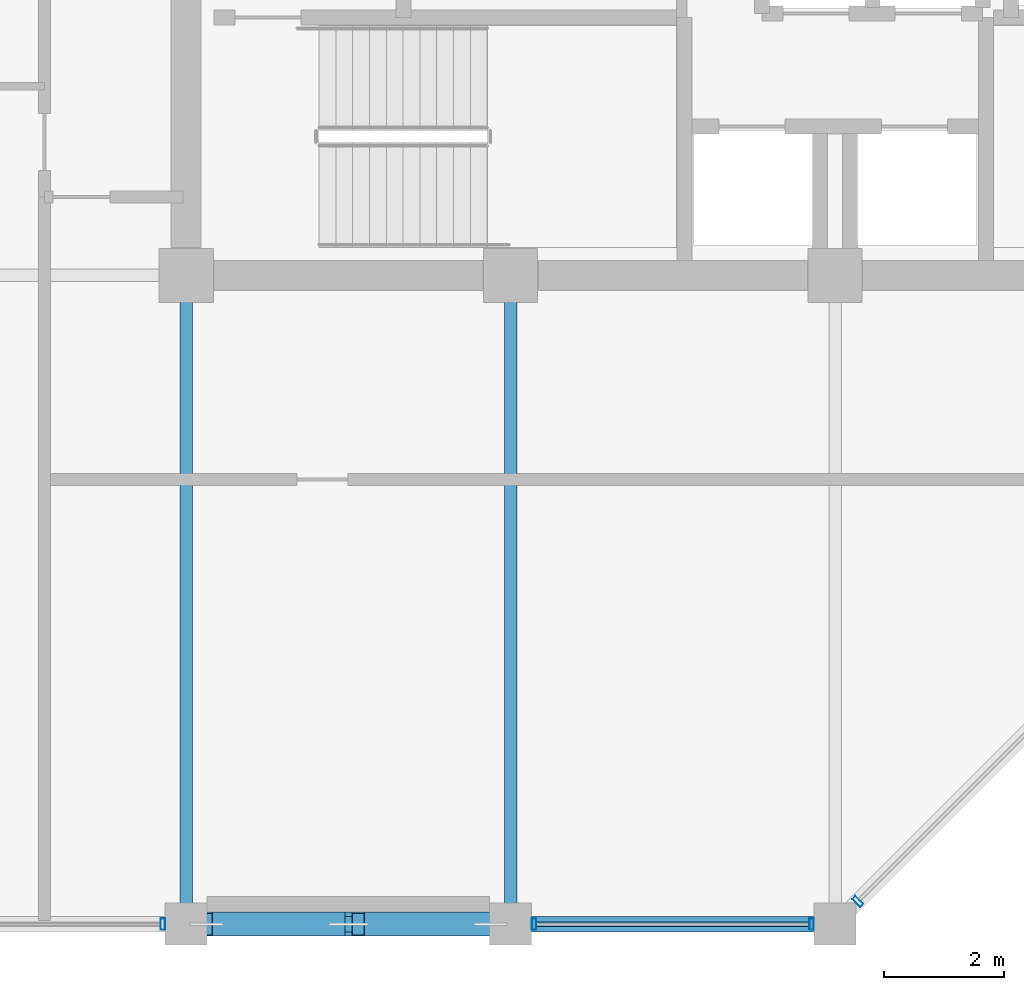
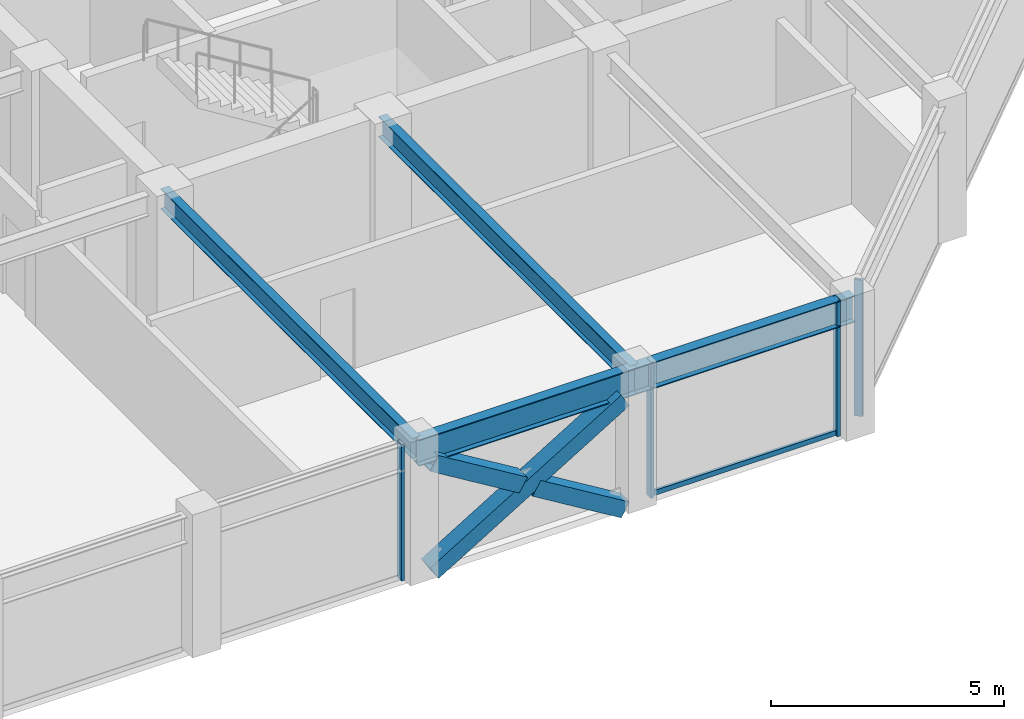
# One storey, part 6 of 30: 8 members, 4 beams, 3 elements without a shape of their own.
"""IFC4 building model written with IfcOpenShell, lengths in metres."""

from ifc_helpers import new_model, si_unit, direction, frame, origin, origin_2d, place, context, subcontext, project, spatial, hollow_rectangle, i_section, extrude, material, layer, layer_set, material_profile, profile_set, type_object, element, aggregate, save


model = new_model("IFC4")

# Units and contexts
model_context = context("Model", 3, precision=1e-05, world=origin(), true_north=direction((0.0, 1.0)))
body_context = subcontext(model_context, "Body", "Model", "MODEL_VIEW")
ifc_project = project(units=[si_unit("LENGTHUNIT", "METRE"), si_unit("AREAUNIT", "SQUARE_METRE"), si_unit("VOLUMEUNIT", "CUBIC_METRE"), si_unit("PLANEANGLEUNIT", "RADIAN"), si_unit("MASSUNIT", "GRAM", prefix="KILO")], contexts=[model_context])

# Site, building, storey
site_placement = place(None, origin())
site = spatial("IfcSite", under=ifc_project, at=site_placement, CompositionType="ELEMENT")
building_placement = place(site_placement, origin())
building = spatial("IfcBuilding", under=site, at=building_placement, Name="Surkhivell Harbour Commons", CompositionType="ELEMENT")
storey_placement = place(building_placement, frame((0.0, 0.0, 281.25)))
storey = spatial("IfcBuildingStorey", under=building, at=storey_placement, Name="L73", CompositionType="ELEMENT", Elevation=281.25)

# Beams
ifc_material_1 = material(Name="Steel S355", Category="steel")
ifc_material_profile_1 = material_profile(ifc_material_1, i_section(OverallWidth=0.2099609375, OverallDepth=0.537109375, WebThickness=0.0107421875, FlangeThickness=0.017333984375, at=origin_2d()), Name="UB533x210x101")
ifc_profile_set_1 = profile_set([ifc_material_profile_1], Name="Steel S355")
beam_type_1 = type_object("IfcBeamType", Name="BM-GRD-533B", PredefinedType="BEAM", material=ifc_profile_set_1)
for number, where, z_axis, x_axis, name in (
    (1, (-10.800048828125, -21.60009765625, 3.301513671875), (0.0, 1.0, 0.0), (-1.0, 0.0, 0.0), "L73 Floor Girder (-10.8,-21.6)"),
    (2, (-5.39990234375, -21.60009765625, 3.301513671875), (0.0, 1.0, 0.0), (-1.0, 0.0, 0.0), "L73 Floor Girder (-5.4,-21.6)"),
):
    element("IfcBeam", number, at=place(storey_placement, frame(where, z_axis=z_axis, x_axis=x_axis)), inside=storey, type_object=beam_type_1, Name=name, PredefinedType="BEAM", context=body_context, shape_type="SweptSolid", body=[
        extrude(i_section(OverallWidth=0.2099609375, OverallDepth=0.537109375, WebThickness=0.0107421875, FlangeThickness=0.017333984375, at=origin_2d()), origin(), (0.0, 0.0, 1.0), 10.800048828125),
    ])
ifc_material_profile_2 = material_profile(ifc_material_1, i_section(OverallWidth=0.256103515625, OverallDepth=0.693115234375, WebThickness=0.014404296875, FlangeThickness=0.023681640625, at=origin_2d()), Name="UB686x254x170")
ifc_profile_set_2 = profile_set([ifc_material_profile_2], Name="Steel S355")
beam_type_2 = type_object("IfcBeamType", Name="BM-SPN-686", PredefinedType="SPANDREL", material=ifc_profile_set_2)
beam_1_placement = place(storey_placement, frame((-10.800048828125, -21.60009765625, 3.223388671875), z_axis=(1.0, 0.0, 0.0), x_axis=(0.0, 1.0, 0.0)))
element("IfcBeam", 3, at=beam_1_placement, inside=storey, type_object=beam_type_2, Name="L73 Tube Spandrel (-10.8,-21.6)", PredefinedType="SPANDREL", context=body_context, shape_type="SweptSolid", body=[
    extrude(i_section(OverallWidth=0.256103515625, OverallDepth=0.693115234375, WebThickness=0.014404296875, FlangeThickness=0.023681640625, at=origin_2d()), origin(), (0.0, 0.0, 1.0), 5.400146484375),
])
beam_2_placement = place(storey_placement, frame((-5.39990234375, -21.60009765625, 3.223388671875), z_axis=(1.0, 0.0, 0.0), x_axis=(0.0, 1.0, 0.0)))
element("IfcBeam", 4, at=beam_2_placement, inside=storey, type_object=beam_type_2, Name="L73 Tube Spandrel (-5.4,-21.6)", PredefinedType="SPANDREL", context=body_context, shape_type="SweptSolid", body=[
    extrude(i_section(OverallWidth=0.256103515625, OverallDepth=0.693115234375, WebThickness=0.014404296875, FlangeThickness=0.023681640625, at=origin_2d()), origin(), (0.0, 0.0, 1.0), 5.39990234375),
])

# Curtain wall, member
ifc_material_2 = material(Name="Anodised pale-metal aluminium and insulated glazing", Category="aluminium")
ifc_layer = layer(ifc_material_2, 0.175048828125)
ifc_layer_set = layer_set([ifc_layer], Name="Anodised pale-metal aluminium and insulated glazing")
curtain_wall_type = type_object("IfcCurtainWallType", Name="CW-SYS-Z4", PredefinedType="NOTDEFINED", material=ifc_layer_set)
curtain_wall_1_placement = place(storey_placement, origin())
curtain_wall_1 = element("IfcCurtainWall", 5, at=curtain_wall_1_placement, inside=storey, type_object=curtain_wall_type, Name="L73 Curtain Wall CW-L73-E00S1", PredefinedType="NOTDEFINED")
ifc_material_3 = material(Name="Anodised pale-metal aluminium alloy 6063-T6", Category="aluminium")
ifc_material_profile_3 = material_profile(ifc_material_3, hollow_rectangle(XDim=0.074951171875, YDim=0.18994140625, WallThickness=0.00390625, at=origin_2d()), Name="ALU-MULL-75x190")
ifc_profile_set_3 = profile_set([ifc_material_profile_3], Name="Anodised pale-metal aluminium alloy 6063-T6")
member_type_1 = type_object("IfcMemberType", Name="CWM-190", PredefinedType="MULLION", material=ifc_profile_set_3)
member_1_placement = place(storey_placement, frame((-11.189453125, -21.60009765625, 0.0), z_axis=(0.0, 0.0, 1.0), x_axis=(1.0, 0.0, 0.0)))
member_1 = element("IfcMember", 6, at=member_1_placement, type_object=member_type_1, Name="CW-Z4 mullion 3", PredefinedType="MULLION", context=body_context, shape_type="SweptSolid", body=[
    extrude(hollow_rectangle(XDim=0.074951171875, YDim=0.18994140625, WallThickness=0.00390625, at=origin_2d()), origin(), (0.0, 0.0, 1.0), 3.570068359375),
])
aggregate(curtain_wall_1, [member_1])

# Curtain wall, members
curtain_wall_2_placement = place(storey_placement, origin())
curtain_wall_2 = element("IfcCurtainWall", 7, at=curtain_wall_2_placement, inside=storey, type_object=curtain_wall_type, Name="L73 Curtain Wall CW-L73-E00S2", PredefinedType="NOTDEFINED")
member_2_placement = place(storey_placement, frame((-5.010498046875, -21.60009765625, 0.0), z_axis=(0.0, 0.0, 1.0), x_axis=(1.0, 0.0, 0.0)))
member_2 = element("IfcMember", 8, at=member_2_placement, type_object=member_type_1, Name="CW-Z4 mullion 1", PredefinedType="MULLION", context=body_context, shape_type="SweptSolid", body=[
    extrude(hollow_rectangle(XDim=0.074951171875, YDim=0.18994140625, WallThickness=0.00390625, at=origin_2d()), origin(), (0.0, 0.0, 1.0), 3.570068359375),
])
member_3_placement = place(storey_placement, frame((-0.389404296875, -21.60009765625, 0.0), z_axis=(0.0, 0.0, 1.0), x_axis=(1.0, 0.0, 0.0)))
member_3 = element("IfcMember", 9, at=member_3_placement, type_object=member_type_1, Name="CW-Z4 mullion 2", PredefinedType="MULLION", context=body_context, shape_type="SweptSolid", body=[
    extrude(hollow_rectangle(XDim=0.074951171875, YDim=0.18994140625, WallThickness=0.00390625, at=origin_2d()), origin(), (0.0, 0.0, 1.0), 3.570068359375),
])

# Curtain wall, member
curtain_wall_3_placement = place(storey_placement, origin())
curtain_wall_3 = element("IfcCurtainWall", 10, at=curtain_wall_3_placement, inside=storey, type_object=curtain_wall_type, Name="L73 Curtain Wall CW-L73-E01", PredefinedType="NOTDEFINED")
member_4_placement = place(storey_placement, frame((0.378173828125, -21.221923828125, 0.0), z_axis=(0.0, 0.0, 1.0), x_axis=(0.707106781187, 0.707106781187, 0.0)))
member_4 = element("IfcMember", 11, at=member_4_placement, type_object=member_type_1, Name="CW-Z4 mullion 1", PredefinedType="MULLION", context=body_context, shape_type="SweptSolid", body=[
    extrude(hollow_rectangle(XDim=0.074951171875, YDim=0.18994140625, WallThickness=0.00390625, at=origin_2d()), origin(), (0.0, 0.0, 1.0), 3.570068359375),
])
aggregate(curtain_wall_3, [member_4])

# Member
ifc_material_4 = material(Name="Champagne anodised aluminium alloy 6063-T6", Category="aluminium")
ifc_material_profile_4 = material_profile(ifc_material_4, hollow_rectangle(XDim=0.070068359375, YDim=0.1298828125, WallThickness=0.00341796875, at=origin_2d()), Name="ALU-TRAN-70x130")
ifc_profile_set_4 = profile_set([ifc_material_profile_4], Name="Champagne anodised aluminium alloy 6063-T6")
member_type_2 = type_object("IfcMemberType", Name="CWT-130", PredefinedType="USERDEFINED", material=ifc_profile_set_4)
member_5_placement = place(storey_placement, frame((-4.972900390625, -21.60009765625, 0.06494140625), z_axis=(1.0, 0.0, 0.0), x_axis=(0.0, 1.0, 0.0)))
member_5 = element("IfcMember", 12, at=member_5_placement, type_object=member_type_2, Name="CW-Z4 transom 1.1", ObjectType="TRANSOM", PredefinedType="USERDEFINED", context=body_context, shape_type="SweptSolid", body=[
    extrude(hollow_rectangle(XDim=0.070068359375, YDim=0.1298828125, WallThickness=0.00341796875, at=origin_2d()), origin(), (0.0, 0.0, 1.0), 4.5458984375),
])

aggregate(curtain_wall_2, [member_2, member_3, member_5])

# Members
ifc_material_5 = material(Name="Steel S460", Category="steel")
ifc_material_profile_5 = material_profile(ifc_material_5, hollow_rectangle(XDim=0.39990234375, YDim=0.39990234375, WallThickness=0.02001953125, at=origin_2d()), Name="SHS400x400x20")
ifc_profile_set_5 = profile_set([ifc_material_profile_5], Name="Steel S460")
member_type_3 = type_object("IfcMemberType", Name="MEM-BRC-SHS400", PredefinedType="BRACE", material=ifc_profile_set_5)
member_6_placement = place(storey_placement, frame((-10.465087890625, -21.60009765625, 0.008056640625), z_axis=(0.854685454322, 0.0, 0.519146197299), x_axis=(0.0, 1.0, 0.0)))
element("IfcMember", 13, at=member_6_placement, inside=storey, type_object=member_type_3, Name="L73 Perimeter Mega-Brace MB- 07", PredefinedType="BRACE", context=body_context, shape_type="SweptSolid", body=[
    extrude(hollow_rectangle(XDim=0.39990234375, YDim=0.39990234375, WallThickness=0.02001953125, at=origin_2d()), origin(), (0.0, 0.0, 1.0), 5.5341796875),
])
member_7_placement = place(storey_placement, frame((-5.735107421875, -21.60009765625, 0.008056640625), z_axis=(-0.854694361898, 0.0, 0.519131532215), x_axis=(0.0, -1.0, 0.0)))
element("IfcMember", 14, at=member_7_placement, inside=storey, type_object=member_type_3, Name="L73 Perimeter Mega-Brace MB- 08", PredefinedType="BRACE", context=body_context, shape_type="SweptSolid", body=[
    extrude(hollow_rectangle(XDim=0.39990234375, YDim=0.39990234375, WallThickness=0.02001953125, at=origin_2d()), origin(), (0.0, 0.0, 1.0), 2.57470703125),
])
member_8_placement = place(storey_placement, frame((-8.26416015625, -21.60009765625, 1.544189453125), z_axis=(-0.854677846108, 0.0, 0.519158722716), x_axis=(0.0, -1.0, 0.0)))
element("IfcMember", 15, at=member_8_placement, inside=storey, type_object=member_type_3, Name="L73 Perimeter Mega-Brace MB- 09", PredefinedType="BRACE", context=body_context, shape_type="SweptSolid", body=[
    extrude(hollow_rectangle(XDim=0.39990234375, YDim=0.39990234375, WallThickness=0.02001953125, at=origin_2d()), origin(), (0.0, 0.0, 1.0), 2.5751953125),
])

save(model, "model.ifc")
